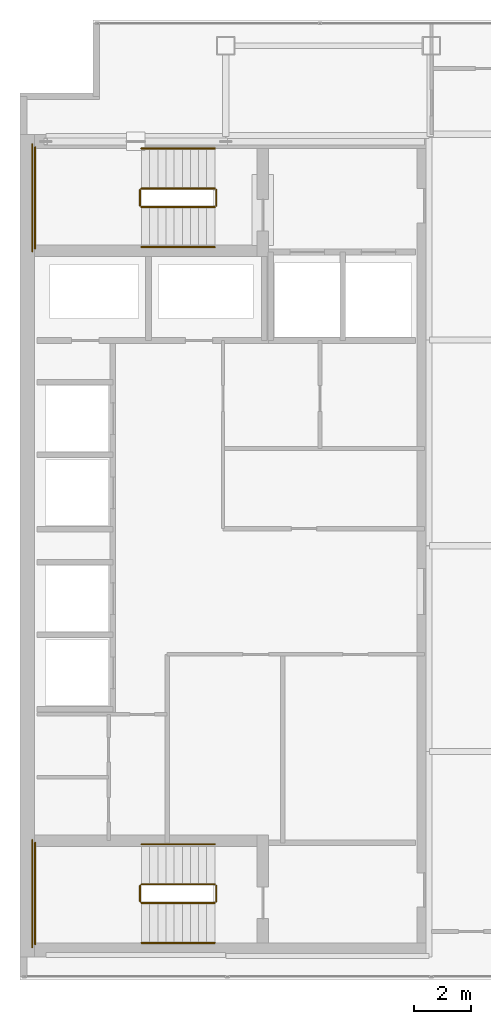
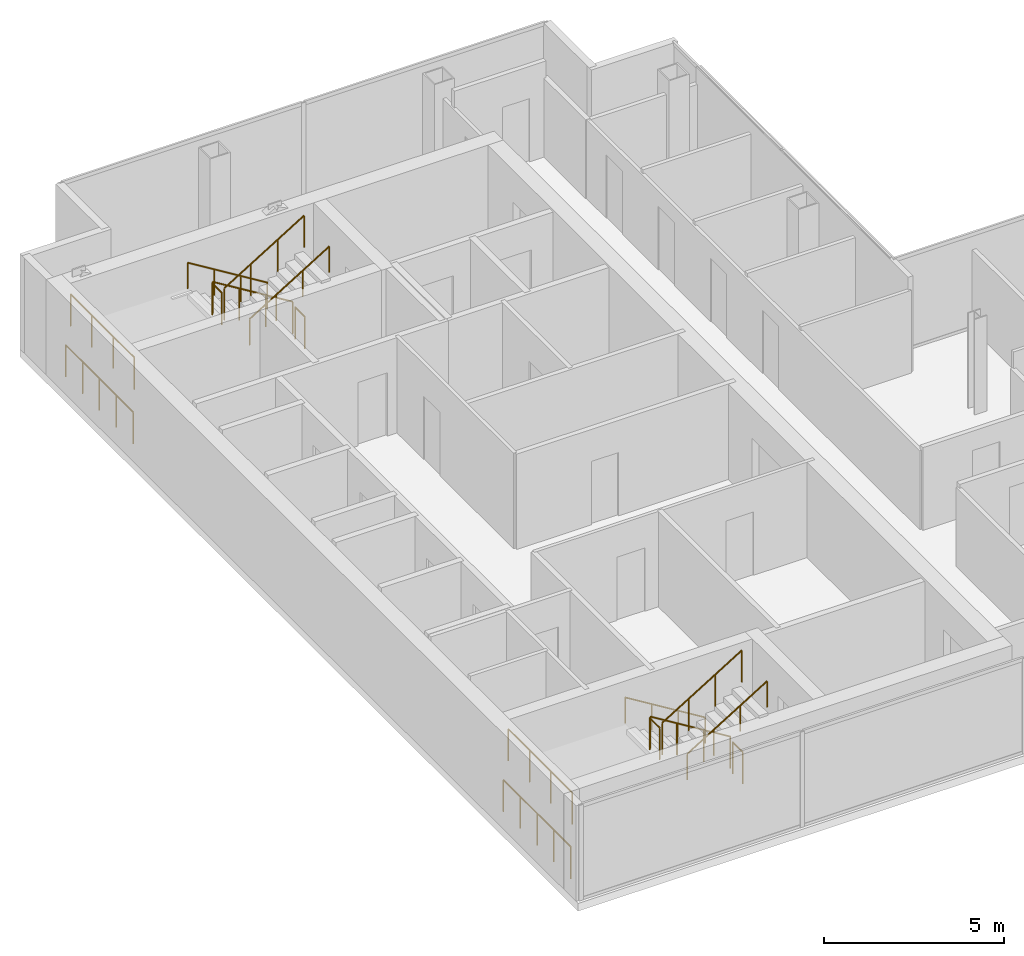
# One storey, part 23 of 23: 16 railings.
"""IFC4 building model written with IfcOpenShell, lengths in metres."""

from ifc_helpers import new_model, si_unit, direction, frame, origin, origin_2d, place, context, subcontext, project, spatial, circle, extrude, material, type_object, element, save


model = new_model("IFC4")

# Units and contexts
model_context = context("Model", 3, precision=1e-05, world=origin(), true_north=direction((0.0, 1.0)))
body_context = subcontext(model_context, "Body", "Model", "MODEL_VIEW")
ifc_project = project(units=[si_unit("LENGTHUNIT", "METRE"), si_unit("AREAUNIT", "SQUARE_METRE"), si_unit("VOLUMEUNIT", "CUBIC_METRE"), si_unit("PLANEANGLEUNIT", "RADIAN"), si_unit("MASSUNIT", "GRAM", prefix="KILO")], contexts=[model_context])

# Site, building, storey
site_placement = place(None, origin())
site = spatial("IfcSite", under=ifc_project, at=site_placement, CompositionType="ELEMENT")
building_placement = place(site_placement, origin())
building = spatial("IfcBuilding", under=site, at=building_placement, Name="Cobrela Telecom Tower", CompositionType="ELEMENT")
storey_placement = place(building_placement, frame((0.0, 0.0, 255.14990234375)))
storey = spatial("IfcBuildingStorey", under=building, at=storey_placement, Name="L66", CompositionType="ELEMENT", Elevation=255.14990234375)

# Railings
ifc_material = material(Name="Steel ASTM A36", Category="steel")
railing_type_1 = type_object("IfcRailingType", Name="RAIL-GUARD-1100", PredefinedType="GUARDRAIL", material=ifc_material)
railing_1_placement = place(storey_placement, frame((6.820068359375, 34.10009765625, 0.175048828125)))
element("IfcRailing", 1, at=railing_1_placement, inside=storey, type_object=railing_type_1, Name="L66 ST1 stair guard 1", PredefinedType="GUARDRAIL", context=body_context, shape_type="SweptSolid", body=[
    extrude(circle(Radius=0.02392578125, at=origin_2d()), frame((0.0, 0.0, 1.076171875), z_axis=(-0.852195335862, 0.0, 0.523223766217), x_axis=(0.0, -1.0, 0.0)), (0.0, 0.0, 1.0), 3.010009765625),
    extrude(circle(Radius=0.02099609375, at=origin_2d()), origin(), (0.0, 0.0, 1.0), 1.052001953125),
    extrude(circle(Radius=0.02099609375, at=origin_2d()), frame((-0.85498046875, 0.0, 0.52490234375)), (0.0, 0.0, 1.0), 1.052001953125),
    extrude(circle(Radius=0.02099609375, at=origin_2d()), frame((-1.710205078125, 0.0, 1.050048828125)), (0.0, 0.0, 1.0), 1.052001953125),
    extrude(circle(Radius=0.02099609375, at=origin_2d()), frame((-2.565185546875, 0.0, 1.574951171875)), (0.0, 0.0, 1.0), 1.052001953125),
])
railing_2_placement = place(storey_placement, frame((4.205078125, 34.050048828125, 1.75)))
element("IfcRailing", 2, at=railing_2_placement, inside=storey, type_object=railing_type_1, Name="L66 ST1 stair guard 2", PredefinedType="GUARDRAIL", context=body_context, shape_type="SweptSolid", body=[
    extrude(circle(Radius=0.02392578125, at=origin_2d()), frame((0.0, 0.0, 1.076171875), z_axis=(0.0, -1.0, 0.0), x_axis=(1.0, 0.0, 0.0)), (0.0, 0.0, 1.0), 0.550048828125),
    extrude(circle(Radius=0.02099609375, at=origin_2d()), origin(), (0.0, 0.0, 1.0), 1.052001953125),
    extrude(circle(Radius=0.02099609375, at=origin_2d()), frame((0.0, -0.550048828125, 0.0)), (0.0, 0.0, 1.0), 1.052001953125),
])
railing_3_placement = place(storey_placement, frame((0.530029296875, 35.550048828125, 1.75)))
element("IfcRailing", 3, at=railing_3_placement, inside=storey, type_object=railing_type_1, Name="L66 ST1 stair guard 3", PredefinedType="GUARDRAIL", context=body_context, shape_type="SweptSolid", body=[
    extrude(circle(Radius=0.02392578125, at=origin_2d()), frame((0.0, 0.0, 1.076171875), z_axis=(0.0, -1.0, 0.0), x_axis=(1.0, 0.0, 0.0)), (0.0, 0.0, 1.0), 3.550048828125),
    extrude(circle(Radius=0.02099609375, at=origin_2d()), origin(), (0.0, 0.0, 1.0), 1.052001953125),
    extrude(circle(Radius=0.02099609375, at=origin_2d()), frame((0.0, -1.183349609375, 0.0)), (0.0, 0.0, 1.0), 1.052001953125),
    extrude(circle(Radius=0.02099609375, at=origin_2d()), frame((0.0, -2.36669921875, 0.0)), (0.0, 0.0, 1.0), 1.052001953125),
    extrude(circle(Radius=0.02099609375, at=origin_2d()), frame((0.0, -3.550048828125, 0.0)), (0.0, 0.0, 1.0), 1.052001953125),
])
railing_4_placement = place(storey_placement, frame((4.2548828125, 33.449951171875, 1.925048828125)))
element("IfcRailing", 4, at=railing_4_placement, inside=storey, type_object=railing_type_1, Name="L66 ST1 stair guard 4", PredefinedType="GUARDRAIL", context=body_context, shape_type="SweptSolid", body=[
    extrude(circle(Radius=0.02392578125, at=origin_2d()), frame((0.0, 0.0, 1.076171875), z_axis=(0.852195335862, 0.0, 0.523223766217), x_axis=(0.0, 1.0, 0.0)), (0.0, 0.0, 1.0), 3.010009765625),
    extrude(circle(Radius=0.02099609375, at=origin_2d()), origin(), (0.0, 0.0, 1.0), 1.052001953125),
    extrude(circle(Radius=0.02099609375, at=origin_2d()), frame((0.85498046875, 0.0, 0.52490234375)), (0.0, 0.0, 1.0), 1.052001953125),
    extrude(circle(Radius=0.02099609375, at=origin_2d()), frame((1.710205078125, 0.0, 1.050048828125)), (0.0, 0.0, 1.0), 1.052001953125),
    extrude(circle(Radius=0.02099609375, at=origin_2d()), frame((2.565185546875, 0.0, 1.574951171875)), (0.0, 0.0, 1.0), 1.052001953125),
])
railing_5_placement = place(storey_placement, frame((6.8701171875, 34.050048828125, 0.0)))
element("IfcRailing", 5, at=railing_5_placement, inside=storey, type_object=railing_type_1, Name="L66 ST1 stair guard 5", PredefinedType="GUARDRAIL", context=body_context, shape_type="SweptSolid", body=[
    extrude(circle(Radius=0.02392578125, at=origin_2d()), frame((0.0, 0.0, 1.076171875), z_axis=(0.0, -1.0, 0.0), x_axis=(1.0, 0.0, 0.0)), (0.0, 0.0, 1.0), 0.550048828125),
    extrude(circle(Radius=0.02099609375, at=origin_2d()), origin(), (0.0, 0.0, 1.0), 1.052001953125),
    extrude(circle(Radius=0.02099609375, at=origin_2d()), frame((0.0, -0.550048828125, 0.0)), (0.0, 0.0, 1.0), 1.052001953125),
])
railing_6_placement = place(storey_placement, frame((0.429931640625, 35.64990234375, 0.0)))
element("IfcRailing", 6, at=railing_6_placement, inside=storey, type_object=railing_type_1, Name="L66 ST1 stair guard 6", PredefinedType="GUARDRAIL", context=body_context, shape_type="SweptSolid", body=[
    extrude(circle(Radius=0.02392578125, at=origin_2d()), frame((0.0, 0.0, 1.076171875), z_axis=(0.0, -1.0, 0.0), x_axis=(1.0, 0.0, 0.0)), (0.0, 0.0, 1.0), 3.75),
    extrude(circle(Radius=0.02099609375, at=origin_2d()), origin(), (0.0, 0.0, 1.0), 1.052001953125),
    extrude(circle(Radius=0.02099609375, at=origin_2d()), frame((0.0, -0.9375, 0.0)), (0.0, 0.0, 1.0), 1.052001953125),
    extrude(circle(Radius=0.02099609375, at=origin_2d()), frame((0.0, -1.875, 0.0)), (0.0, 0.0, 1.0), 1.052001953125),
    extrude(circle(Radius=0.02099609375, at=origin_2d()), frame((0.0, -2.8125, 0.0)), (0.0, 0.0, 1.0), 1.052001953125),
    extrude(circle(Radius=0.02099609375, at=origin_2d()), frame((0.0, -3.75, 0.0)), (0.0, 0.0, 1.0), 1.052001953125),
])
railing_7_placement = place(storey_placement, frame((6.820068359375, 9.75, 0.175048828125)))
element("IfcRailing", 7, at=railing_7_placement, inside=storey, type_object=railing_type_1, Name="L66 ST2 stair guard 1", PredefinedType="GUARDRAIL", context=body_context, shape_type="SweptSolid", body=[
    extrude(circle(Radius=0.02392578125, at=origin_2d()), frame((0.0, 0.0, 1.076171875), z_axis=(-0.852195335862, 0.0, 0.523223766217), x_axis=(0.0, -1.0, 0.0)), (0.0, 0.0, 1.0), 3.010009765625),
    extrude(circle(Radius=0.02099609375, at=origin_2d()), origin(), (0.0, 0.0, 1.0), 1.052001953125),
    extrude(circle(Radius=0.02099609375, at=origin_2d()), frame((-0.85498046875, 0.0, 0.52490234375)), (0.0, 0.0, 1.0), 1.052001953125),
    extrude(circle(Radius=0.02099609375, at=origin_2d()), frame((-1.710205078125, 0.0, 1.050048828125)), (0.0, 0.0, 1.0), 1.052001953125),
    extrude(circle(Radius=0.02099609375, at=origin_2d()), frame((-2.565185546875, 0.0, 1.574951171875)), (0.0, 0.0, 1.0), 1.052001953125),
])
railing_8_placement = place(storey_placement, frame((4.205078125, 9.699951171875, 1.75)))
element("IfcRailing", 8, at=railing_8_placement, inside=storey, type_object=railing_type_1, Name="L66 ST2 stair guard 2", PredefinedType="GUARDRAIL", context=body_context, shape_type="SweptSolid", body=[
    extrude(circle(Radius=0.02392578125, at=origin_2d()), frame((0.0, 0.0, 1.076171875), z_axis=(0.0, -1.0, 0.0), x_axis=(1.0, 0.0, 0.0)), (0.0, 0.0, 1.0), 0.550048828125),
    extrude(circle(Radius=0.02099609375, at=origin_2d()), origin(), (0.0, 0.0, 1.0), 1.052001953125),
    extrude(circle(Radius=0.02099609375, at=origin_2d()), frame((0.0, -0.550048828125, 0.0)), (0.0, 0.0, 1.0), 1.052001953125),
])
railing_9_placement = place(storey_placement, frame((0.530029296875, 11.199951171875, 1.75)))
element("IfcRailing", 9, at=railing_9_placement, inside=storey, type_object=railing_type_1, Name="L66 ST2 stair guard 3", PredefinedType="GUARDRAIL", context=body_context, shape_type="SweptSolid", body=[
    extrude(circle(Radius=0.02392578125, at=origin_2d()), frame((0.0, 0.0, 1.076171875), z_axis=(0.0, -1.0, 0.0), x_axis=(1.0, 0.0, 0.0)), (0.0, 0.0, 1.0), 3.550048828125),
    extrude(circle(Radius=0.02099609375, at=origin_2d()), origin(), (0.0, 0.0, 1.0), 1.052001953125),
    extrude(circle(Radius=0.02099609375, at=origin_2d()), frame((0.0, -1.183349609375, 0.0)), (0.0, 0.0, 1.0), 1.052001953125),
    extrude(circle(Radius=0.02099609375, at=origin_2d()), frame((0.0, -2.36669921875, 0.0)), (0.0, 0.0, 1.0), 1.052001953125),
    extrude(circle(Radius=0.02099609375, at=origin_2d()), frame((0.0, -3.550048828125, 0.0)), (0.0, 0.0, 1.0), 1.052001953125),
])
railing_10_placement = place(storey_placement, frame((4.2548828125, 9.10009765625, 1.925048828125)))
element("IfcRailing", 10, at=railing_10_placement, inside=storey, type_object=railing_type_1, Name="L66 ST2 stair guard 4", PredefinedType="GUARDRAIL", context=body_context, shape_type="SweptSolid", body=[
    extrude(circle(Radius=0.02392578125, at=origin_2d()), frame((0.0, 0.0, 1.076171875), z_axis=(0.852195335862, 0.0, 0.523223766217), x_axis=(0.0, 1.0, 0.0)), (0.0, 0.0, 1.0), 3.010009765625),
    extrude(circle(Radius=0.02099609375, at=origin_2d()), origin(), (0.0, 0.0, 1.0), 1.052001953125),
    extrude(circle(Radius=0.02099609375, at=origin_2d()), frame((0.85498046875, 0.0, 0.52490234375)), (0.0, 0.0, 1.0), 1.052001953125),
    extrude(circle(Radius=0.02099609375, at=origin_2d()), frame((1.710205078125, 0.0, 1.050048828125)), (0.0, 0.0, 1.0), 1.052001953125),
    extrude(circle(Radius=0.02099609375, at=origin_2d()), frame((2.565185546875, 0.0, 1.574951171875)), (0.0, 0.0, 1.0), 1.052001953125),
])
railing_11_placement = place(storey_placement, frame((6.8701171875, 9.699951171875, 0.0)))
element("IfcRailing", 11, at=railing_11_placement, inside=storey, type_object=railing_type_1, Name="L66 ST2 stair guard 5", PredefinedType="GUARDRAIL", context=body_context, shape_type="SweptSolid", body=[
    extrude(circle(Radius=0.02392578125, at=origin_2d()), frame((0.0, 0.0, 1.076171875), z_axis=(0.0, -1.0, 0.0), x_axis=(1.0, 0.0, 0.0)), (0.0, 0.0, 1.0), 0.550048828125),
    extrude(circle(Radius=0.02099609375, at=origin_2d()), origin(), (0.0, 0.0, 1.0), 1.052001953125),
    extrude(circle(Radius=0.02099609375, at=origin_2d()), frame((0.0, -0.550048828125, 0.0)), (0.0, 0.0, 1.0), 1.052001953125),
])
railing_12_placement = place(storey_placement, frame((0.429931640625, 11.300048828125, 0.0)))
element("IfcRailing", 12, at=railing_12_placement, inside=storey, type_object=railing_type_1, Name="L66 ST2 stair guard 6", PredefinedType="GUARDRAIL", context=body_context, shape_type="SweptSolid", body=[
    extrude(circle(Radius=0.02392578125, at=origin_2d()), frame((0.0, 0.0, 1.076171875), z_axis=(0.0, -1.0, 0.0), x_axis=(1.0, 0.0, 0.0)), (0.0, 0.0, 1.0), 3.75),
    extrude(circle(Radius=0.02099609375, at=origin_2d()), origin(), (0.0, 0.0, 1.0), 1.052001953125),
    extrude(circle(Radius=0.02099609375, at=origin_2d()), frame((0.0, -0.9375, 0.0)), (0.0, 0.0, 1.0), 1.052001953125),
    extrude(circle(Radius=0.02099609375, at=origin_2d()), frame((0.0, -1.875, 0.0)), (0.0, 0.0, 1.0), 1.052001953125),
    extrude(circle(Radius=0.02099609375, at=origin_2d()), frame((0.0, -2.8125, 0.0)), (0.0, 0.0, 1.0), 1.052001953125),
    extrude(circle(Radius=0.02099609375, at=origin_2d()), frame((0.0, -3.75, 0.0)), (0.0, 0.0, 1.0), 1.052001953125),
])
railing_type_2 = type_object("IfcRailingType", Name="RAIL-HAND-920", PredefinedType="HANDRAIL", material=ifc_material)
railing_13_placement = place(storey_placement, frame((6.820068359375, 35.5, 0.175048828125)))
element("IfcRailing", 13, at=railing_13_placement, inside=storey, type_object=railing_type_2, Name="L66 ST1 stair handrail 1", PredefinedType="HANDRAIL", context=body_context, shape_type="SweptSolid", body=[
    extrude(circle(Radius=0.02392578125, at=origin_2d()), frame((0.0, 0.0, 0.8759765625), z_axis=(-0.852195335862, 0.0, 0.523223766217), x_axis=(0.0, -1.0, 0.0)), (0.0, 0.0, 1.0), 3.010009765625),
    extrude(circle(Radius=0.02099609375, at=origin_2d()), origin(), (0.0, 0.0, 1.0), 0.851806640625),
    extrude(circle(Radius=0.02099609375, at=origin_2d()), frame((-0.85498046875, 0.0, 0.52490234375)), (0.0, 0.0, 1.0), 0.851806640625),
    extrude(circle(Radius=0.02099609375, at=origin_2d()), frame((-1.710205078125, 0.0, 1.050048828125)), (0.0, 0.0, 1.0), 0.851806640625),
    extrude(circle(Radius=0.02099609375, at=origin_2d()), frame((-2.565185546875, 0.0, 1.574951171875)), (0.0, 0.0, 1.0), 0.851806640625),
])
railing_14_placement = place(storey_placement, frame((4.2548828125, 32.050048828125, 1.925048828125)))
element("IfcRailing", 14, at=railing_14_placement, inside=storey, type_object=railing_type_2, Name="L66 ST1 stair handrail 2", PredefinedType="HANDRAIL", context=body_context, shape_type="SweptSolid", body=[
    extrude(circle(Radius=0.02392578125, at=origin_2d()), frame((0.0, 0.0, 0.8759765625), z_axis=(0.852195335862, 0.0, 0.523223766217), x_axis=(0.0, 1.0, 0.0)), (0.0, 0.0, 1.0), 3.010009765625),
    extrude(circle(Radius=0.02099609375, at=origin_2d()), origin(), (0.0, 0.0, 1.0), 0.851806640625),
    extrude(circle(Radius=0.02099609375, at=origin_2d()), frame((0.85498046875, 0.0, 0.52490234375)), (0.0, 0.0, 1.0), 0.851806640625),
    extrude(circle(Radius=0.02099609375, at=origin_2d()), frame((1.710205078125, 0.0, 1.050048828125)), (0.0, 0.0, 1.0), 0.851806640625),
    extrude(circle(Radius=0.02099609375, at=origin_2d()), frame((2.565185546875, 0.0, 1.574951171875)), (0.0, 0.0, 1.0), 0.851806640625),
])
railing_15_placement = place(storey_placement, frame((6.820068359375, 11.14990234375, 0.175048828125)))
element("IfcRailing", 15, at=railing_15_placement, inside=storey, type_object=railing_type_2, Name="L66 ST2 stair handrail 1", PredefinedType="HANDRAIL", context=body_context, shape_type="SweptSolid", body=[
    extrude(circle(Radius=0.02392578125, at=origin_2d()), frame((0.0, 0.0, 0.8759765625), z_axis=(-0.852195335862, 0.0, 0.523223766217), x_axis=(0.0, -1.0, 0.0)), (0.0, 0.0, 1.0), 3.010009765625),
    extrude(circle(Radius=0.02099609375, at=origin_2d()), origin(), (0.0, 0.0, 1.0), 0.851806640625),
    extrude(circle(Radius=0.02099609375, at=origin_2d()), frame((-0.85498046875, 0.0, 0.52490234375)), (0.0, 0.0, 1.0), 0.851806640625),
    extrude(circle(Radius=0.02099609375, at=origin_2d()), frame((-1.710205078125, 0.0, 1.050048828125)), (0.0, 0.0, 1.0), 0.851806640625),
    extrude(circle(Radius=0.02099609375, at=origin_2d()), frame((-2.565185546875, 0.0, 1.574951171875)), (0.0, 0.0, 1.0), 0.851806640625),
])
railing_16_placement = place(storey_placement, frame((4.2548828125, 7.699951171875, 1.925048828125)))
element("IfcRailing", 16, at=railing_16_placement, inside=storey, type_object=railing_type_2, Name="L66 ST2 stair handrail 2", PredefinedType="HANDRAIL", context=body_context, shape_type="SweptSolid", body=[
    extrude(circle(Radius=0.02392578125, at=origin_2d()), frame((0.0, 0.0, 0.8759765625), z_axis=(0.852195335862, 0.0, 0.523223766217), x_axis=(0.0, 1.0, 0.0)), (0.0, 0.0, 1.0), 3.010009765625),
    extrude(circle(Radius=0.02099609375, at=origin_2d()), origin(), (0.0, 0.0, 1.0), 0.851806640625),
    extrude(circle(Radius=0.02099609375, at=origin_2d()), frame((0.85498046875, 0.0, 0.52490234375)), (0.0, 0.0, 1.0), 0.851806640625),
    extrude(circle(Radius=0.02099609375, at=origin_2d()), frame((1.710205078125, 0.0, 1.050048828125)), (0.0, 0.0, 1.0), 0.851806640625),
    extrude(circle(Radius=0.02099609375, at=origin_2d()), frame((2.565185546875, 0.0, 1.574951171875)), (0.0, 0.0, 1.0), 0.851806640625),
])

save(model, "model.ifc")
